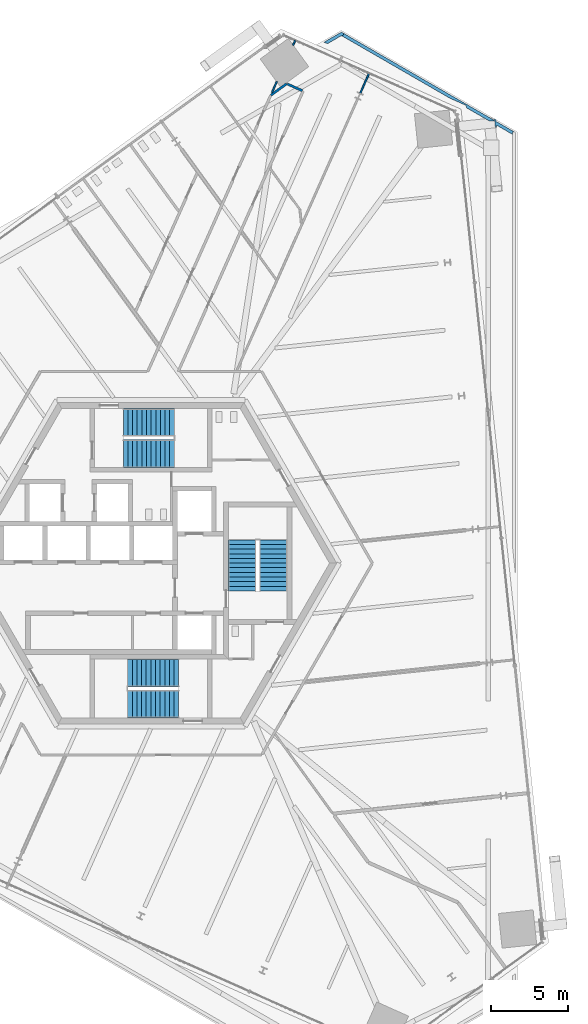
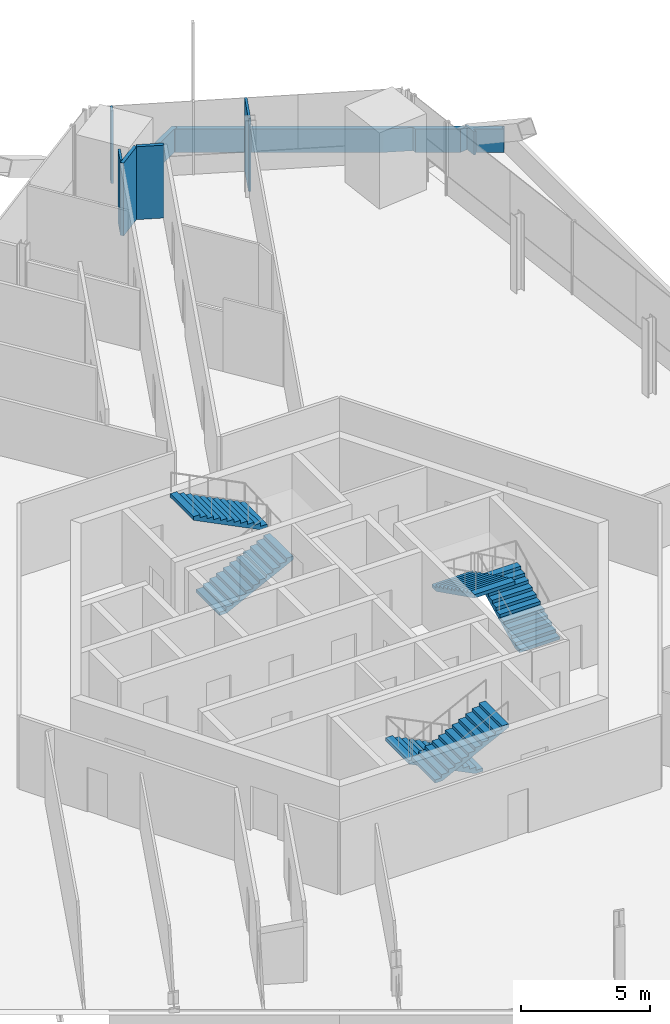
# One storey, part 19 of 24: 8 walls, 6 stair flights, 3 elements without a shape of their own.
"""IFC4 building model written with IfcOpenShell, lengths in metres."""

import ifcopenshell
import ifcopenshell.guid

model = None  # the IFC model being written
_history = None  # IfcOwnerHistory: only IFC2X3 demands one
_inside = {}  # id of a spatial element -> (the spatial element, [elements in it])
_under = {}  # id of a project, library or spatial element -> (it, [spatial elements below it])
_declared = {}  # id of a project -> (the project, [libraries it declares])
_typed = {}  # id of a type object -> (the type object, [elements of that type])
_made_of = {}  # id of a material, layer set ... -> (it, [elements and type objects made of it])


def new_model(schema):
    """Start an empty IFC model of exactly this schema.

    Asked for "IFC4X3", IfcOpenShell would pick the latest addendum, in which some entities
    have other attributes; the version numbers below select the first issue.
    IFC2X3 requires an IfcOwnerHistory on every rooted entity: one is made here for all.
    """
    global model, _history
    if schema == "IFC4X3":
        model = ifcopenshell.file(schema_version=(4, 3, 0, 0))
    else:
        model = ifcopenshell.file(schema=schema)
    _inside.clear()
    _under.clear()
    _declared.clear()
    _typed.clear()
    _made_of.clear()
    _history = None
    if model.schema == "IFC2X3":
        org = make("IfcOrganization", Name="unknown")
        user = make(
            "IfcPersonAndOrganization",
            ThePerson=make("IfcPerson", FamilyName="unknown"),
            TheOrganization=org,
        )
        app = make(
            "IfcApplication",
            ApplicationDeveloper=org,
            Version="unknown",
            ApplicationFullName="unknown",
            ApplicationIdentifier="unknown",
        )
        _history = make(
            "IfcOwnerHistory",
            OwningUser=user,
            OwningApplication=app,
            ChangeAction="ADDED",
            CreationDate=0,
        )
    return model


def make(cls, **values):
    """One entity of the class cls with the attributes given. An attribute that is None is left unset."""
    return model.create_entity(
        cls, **{name: value for name, value in values.items() if value is not None}
    )


def rooted(cls, **values):
    """An entity with a GlobalId (a new one), such as an element, a storey or a relation."""
    return make(cls, GlobalId=ifcopenshell.guid.new(), OwnerHistory=_history, **values)


def si_unit(unit_type, name, prefix=None):
    """IfcSIUnit, for example si_unit("LENGTHUNIT", "METRE", prefix="MILLI")."""
    return make("IfcSIUnit", UnitType=unit_type, Prefix=prefix, Name=name)


def assignment(units):
    """IfcUnitAssignment: the units of a project."""
    return None if units is None else make("IfcUnitAssignment", Units=units)


def point(xyz):
    """IfcCartesianPoint."""
    return None if xyz is None else make("IfcCartesianPoint", Coordinates=xyz)


def direction(xyz):
    """IfcDirection."""
    return None if xyz is None else make("IfcDirection", DirectionRatios=xyz)


def frame(location, z_axis=None, x_axis=None):
    """IfcAxis2Placement3D, a coordinate frame: its origin and axes. An axis left out is left unset."""
    return make(
        "IfcAxis2Placement3D",
        Location=point(location),
        Axis=direction(z_axis),
        RefDirection=direction(x_axis),
    )


def frame_2d(location, x_axis=None):
    """IfcAxis2Placement2D, a coordinate frame in the plane: its origin and x axis."""
    return make(
        "IfcAxis2Placement2D", Location=point(location), RefDirection=direction(x_axis)
    )


def origin():
    """The frame at (0, 0, 0) with its axes left unset."""
    return frame((0.0, 0.0, 0.0))


def place(relative_to, where):
    """IfcLocalPlacement: puts the frame where relative to a parent placement (None: the world)."""
    return make(
        "IfcLocalPlacement", PlacementRelTo=relative_to, RelativePlacement=where
    )


def context(
    kind, dimensions, precision=None, world=None, true_north=None, identifier=None
):
    """IfcGeometricRepresentationContext, for example the 3D "Model" context."""
    return make(
        "IfcGeometricRepresentationContext",
        ContextIdentifier=identifier,
        ContextType=kind,
        CoordinateSpaceDimension=dimensions,
        Precision=precision,
        WorldCoordinateSystem=world,
        TrueNorth=true_north,
    )


def subcontext(parent, identifier, kind, view, scale=None):
    """IfcGeometricRepresentationSubContext, for example "Body" below "Model"."""
    return make(
        "IfcGeometricRepresentationSubContext",
        ContextIdentifier=identifier,
        ContextType=kind,
        ParentContext=parent,
        TargetScale=scale,
        TargetView=view,
    )


def project(units=None, contexts=None):
    """IfcProject with its units and contexts."""
    return rooted(
        "IfcProject",
        Name="project",
        RepresentationContexts=contexts,
        UnitsInContext=assignment(units),
    )


def spatial(cls, under=None, at=None, **own):
    """A site, building, storey or space (cls), placed at a placement, below another one or the project."""
    s = rooted(cls, ObjectPlacement=at, **own)
    if under is not None:
        _under.setdefault(under.id(), (under, []))[1].append(s)
    return s


def polyline(points):
    """IfcPolyline through the points."""
    return make("IfcPolyline", Points=[point(p) for p in points])


def profile(cls, at=None, kind="AREA", **sizes):
    """A parametric profile (cls). Its sizes go by their IFC names, for example OverallWidth=200.0."""
    return make(cls, ProfileType=kind, Position=at, **sizes)


def rectangle(**sizes):
    """IfcRectangleProfileDef."""
    return profile("IfcRectangleProfileDef", **sizes)


def outline(outer, holes=None, kind="AREA"):
    """IfcArbitraryClosedProfileDef: a profile drawn as a closed curve; with holes, ...WithVoids."""
    if holes is None:
        return make("IfcArbitraryClosedProfileDef", ProfileType=kind, OuterCurve=outer)
    return make(
        "IfcArbitraryProfileDefWithVoids",
        ProfileType=kind,
        OuterCurve=outer,
        InnerCurves=holes,
    )


def extrude(swept, where, along, depth):
    """IfcExtrudedAreaSolid: the profile swept, set in the frame where, extruded along a direction by depth."""
    return make(
        "IfcExtrudedAreaSolid",
        SweptArea=swept,
        Position=where,
        ExtrudedDirection=direction(along),
        Depth=depth,
    )


def shape(context_of_items, identifier, shape_type, items):
    """IfcShapeRepresentation: the items that make up one representation, for example the "Body"."""
    return make(
        "IfcShapeRepresentation",
        ContextOfItems=context_of_items,
        RepresentationIdentifier=identifier,
        RepresentationType=shape_type,
        Items=items,
    )


def source(mapping_origin, context_of_items, identifier, shape_type, items):
    """IfcRepresentationMap: a shape defined once, which mapped items show again and again."""
    return make(
        "IfcRepresentationMap",
        MappingOrigin=mapping_origin,
        MappedRepresentation=shape(context_of_items, identifier, shape_type, items),
    )


def transform(
    local_origin,
    x_axis=None,
    y_axis=None,
    z_axis=None,
    scale=None,
    scale2=None,
    scale3=None,
    uniform=True,
):
    """IfcCartesianTransformationOperator3D, or its non-uniform kind. x_axis, y_axis, z_axis: its Axis1, 2, 3."""
    if uniform:
        return make(
            "IfcCartesianTransformationOperator3D",
            Axis1=direction(x_axis),
            Axis2=direction(y_axis),
            LocalOrigin=point(local_origin),
            Scale=scale,
            Axis3=direction(z_axis),
        )
    return make(
        "IfcCartesianTransformationOperator3DnonUniform",
        Axis1=direction(x_axis),
        Axis2=direction(y_axis),
        LocalOrigin=point(local_origin),
        Scale=scale,
        Axis3=direction(z_axis),
        Scale2=scale2,
        Scale3=scale3,
    )


def mapped(mapping_source, mapping_target):
    """IfcMappedItem: shows the shape of a source again, moved by a transform."""
    return make(
        "IfcMappedItem", MappingSource=mapping_source, MappingTarget=mapping_target
    )


def material(Name=None, Category=None):
    """IfcMaterial."""
    return make("IfcMaterial", Name=Name, Category=Category)


def layer(
    of_material, thickness, ventilated=None, Name=None, Category=None, Priority=None
):
    """IfcMaterialLayer: one layer of a wall or slab, of a material (None: an air gap)."""
    return make(
        "IfcMaterialLayer",
        Material=of_material,
        LayerThickness=thickness,
        IsVentilated=ventilated,
        Name=Name,
        Category=Category,
        Priority=Priority,
    )


def layer_set(layers, Name=None):
    """IfcMaterialLayerSet."""
    return make("IfcMaterialLayerSet", MaterialLayers=layers, LayerSetName=Name)


def made_of(thing, what):
    """Note that an element or type object is made of a material, layer set ...; save() writes the relation."""
    if what is not None:
        _made_of.setdefault(what.id(), (what, []))[1].append(thing)
    return thing


def type_object(cls, material=None, **own):
    """A type object (cls), such as IfcWallType, which elements share."""
    return made_of(rooted(cls, **own), material)


def element(
    cls,
    number,
    at=None,
    inside=None,
    cuts=None,
    type_object=None,
    material=None,
    context=None,
    identifier="Body",
    shape_type=None,
    held_by="IfcProductDefinitionShape",
    body=None,
    shapes=None,
    **own,
):
    """One element of the class cls, such as IfcWall. Its Tag is "e" and its number.

    at: its placement. inside: the storey or other place that contains it. cuts: it is an
    opening in that element (IfcRelVoidsElement). A single representation is given by context,
    identifier, shape_type and body (its items); several are given by shapes. held_by: the class
    of the entity that holds the representations. save() writes the other relations.
    """
    e = rooted(cls, Tag="e%d" % number, ObjectPlacement=at, **own)
    if body is not None:
        shapes = [shape(context, identifier, shape_type, body)]
    if shapes is not None:
        e.Representation = make(held_by, Representations=shapes)
    if inside is not None:
        _inside.setdefault(inside.id(), (inside, []))[1].append(e)
    if cuts is not None:
        rooted(
            "IfcRelVoidsElement", RelatingBuildingElement=cuts, RelatedOpeningElement=e
        )
    if type_object is not None:
        _typed.setdefault(type_object.id(), (type_object, []))[1].append(e)
    return made_of(e, material)


def aggregate(whole, parts):
    """IfcRelAggregates: a whole, such as a stair, and the parts it consists of."""
    return rooted("IfcRelAggregates", RelatingObject=whole, RelatedObjects=parts)


def save(model, path):
    """Write the relations noted so far, then the file.

    IfcRelAggregates (storeys below a building ...), IfcRelContainedInSpatialStructure (elements
    in a storey), IfcRelDefinesByType, IfcRelAssociatesMaterial and IfcRelDeclares: one each for
    every whole, place, type object, material and project.
    """
    for whole, parts in _under.values():
        aggregate(whole, parts)
    for where, things in _inside.values():
        rooted(
            "IfcRelContainedInSpatialStructure",
            RelatedElements=things,
            RelatingStructure=where,
        )
    for kind, things in _typed.values():
        rooted("IfcRelDefinesByType", RelatedObjects=things, RelatingType=kind)
    for what, things in _made_of.values():
        rooted("IfcRelAssociatesMaterial", RelatedObjects=things, RelatingMaterial=what)
    for by, libraries in _declared.values():
        rooted("IfcRelDeclares", RelatingContext=by, RelatedDefinitions=libraries)
    model.write(path)


model = new_model("IFC4")

# Units and contexts
model_context = context("Model", 3, precision=1e-05, world=origin(), true_north=direction((0.0, 1.0)))
body_context = subcontext(model_context, "Body", "Model", "MODEL_VIEW")
ifc_project = project(units=[si_unit("LENGTHUNIT", "METRE"), si_unit("AREAUNIT", "SQUARE_METRE"), si_unit("VOLUMEUNIT", "CUBIC_METRE"), si_unit("PLANEANGLEUNIT", "RADIAN"), si_unit("MASSUNIT", "GRAM", prefix="KILO")], contexts=[model_context])

# Site, building, storey
site_placement = place(None, origin())
site = spatial("IfcSite", under=ifc_project, at=site_placement, CompositionType="ELEMENT")
building_placement = place(site_placement, origin())
building = spatial("IfcBuilding", under=site, at=building_placement, Name="Triune Harvest Tower", CompositionType="ELEMENT")
storey_placement = place(building_placement, frame((0.0, 0.0, 58.5)))
storey = spatial("IfcBuildingStorey", under=building, at=storey_placement, Name="L13", CompositionType="ELEMENT", Elevation=58.5)

# Walls
ifc_material_1 = material(Name="Concrete 40 MPa", Category="concrete")
ifc_layer_1 = layer(ifc_material_1, 0.199951171875)
ifc_layer_set_1 = layer_set([ifc_layer_1], Name="Concrete 40 MPa")
wall_type_1 = type_object("IfcWallType", Name="PA-1 parapet 200", PredefinedType="PARAPET", material=ifc_layer_set_1)
wall_1_placement = place(storey_placement, origin())
element("IfcWall", 1, at=wall_1_placement, inside=storey, type_object=wall_type_1, Name="Parapet wedge L12 1.1", PredefinedType="PARAPET", context=body_context, shape_type="SweptSolid", body=[
    extrude(outline(polyline([(12.3291015625, 34.08203125), (12.30908203125, 34.093505859375), (11.403564453125, 33.57080078125), (11.177734375, 33.671142578125), (12.30908203125, 34.324462890625), (12.4091796875, 34.2666015625), (12.468994140625, 34.162841796875), (12.3291015625, 34.08203125)])), origin(), (0.0, 0.0, 1.0), 1.10009765625),
])
wall_2_placement = place(storey_placement, origin())
element("IfcWall", 2, at=wall_2_placement, inside=storey, type_object=wall_type_1, Name="Parapet wedge L12 1.3", PredefinedType="PARAPET", context=body_context, shape_type="SweptSolid", body=[
    extrude(outline(polyline([(23.351318359375, 27.71826171875), (22.3212890625, 28.31298828125), (22.338134765625, 28.15087890625), (22.25830078125, 28.142578125), (22.1962890625, 28.731689453125), (22.282470703125, 28.681884765625), (22.29541015625, 28.558837890625), (23.471435546875, 27.8798828125), (23.351318359375, 27.8798828125), (23.351318359375, 27.71826171875)])), origin(), (0.0, 0.0, 1.0), 1.10009765625),
])
wall_3_placement = place(storey_placement, origin())
element("IfcWall", 3, at=wall_3_placement, inside=storey, type_object=wall_type_1, Name="Parapet wedge L12 1.4", PredefinedType="PARAPET", context=body_context, shape_type="SweptSolid", body=[
    extrude(outline(polyline([(20.383056640625, 29.431884765625), (20.367431640625, 29.579833984375), (19.3173828125, 30.04736328125), (12.3291015625, 34.08203125), (12.468994140625, 34.162841796875), (12.4091796875, 34.2666015625), (22.22265625, 28.600830078125), (21.88427734375, 28.565185546875), (20.383056640625, 29.431884765625)])), origin(), (0.0, 0.0, 1.0), 1.10009765625),
])
ifc_material_2 = material(Name="Gypsum board on steel studs", Category="steel")
ifc_layer_2 = layer(ifc_material_2, 0.14990234375)
ifc_layer_set_2 = layer_set([ifc_layer_2], Name="Gypsum board on steel studs")
wall_type_2 = type_object("IfcWallType", Name="Fire Partition 150 mm", PredefinedType="PARTITIONING", material=ifc_layer_set_2)
shared_shape_1 = source(origin(), body_context, "Body", "SweptSolid", [
    extrude(rectangle(XDim=1.06396484375, YDim=0.14990234375, at=frame_2d((0.531982421875, 0.0))), origin(), (0.0, 0.0, 1.0), 3.43994140625),
])
wall_4_placement = place(storey_placement, frame((8.813232421875, 30.968994140625, 0.0), z_axis=(0.0, 0.0, 1.0), x_axis=(0.91358428544, -0.40664942321, 0.0)))
element("IfcWall", 4, at=wall_4_placement, inside=storey, type_object=wall_type_2, Name="Partition L13 019", PredefinedType="PARTITIONING", context=body_context, shape_type="MappedRepresentation", body=[
    mapped(shared_shape_1, transform((0.0, 0.0, 0.0), scale=1.0)),
])
shared_shape_2 = source(origin(), body_context, "Body", "SweptSolid", [
    extrude(rectangle(XDim=1.252197265625, YDim=0.14990234375, at=frame_2d((0.6259765625, 0.0))), origin(), (0.0, 0.0, 1.0), 3.43994140625),
])
wall_5_placement = place(storey_placement, frame((7.754638671875, 30.25341796875, 0.0), z_axis=(0.0, 0.0, 1.0), x_axis=(0.808963673702, 0.587858634903, 0.0)))
element("IfcWall", 5, at=wall_5_placement, inside=storey, type_object=wall_type_2, Name="Partition L13 030", PredefinedType="PARTITIONING", context=body_context, shape_type="MappedRepresentation", body=[
    mapped(shared_shape_2, transform((0.0, 0.0, 0.0), scale=1.0)),
])
ifc_material_3 = material(Name="Gypsum board on steel studs", Category="steel")
ifc_layer_3 = layer(ifc_material_3, 0.10009765625)
ifc_layer_set_3 = layer_set([ifc_layer_3], Name="Gypsum board on steel studs")
wall_type_3 = type_object("IfcWallType", Name="Partition 100 mm", PredefinedType="PARTITIONING", material=ifc_layer_set_3)
shared_shape_3 = source(origin(), body_context, "Body", "SweptSolid", [
    extrude(rectangle(XDim=1.41845703125, YDim=0.10009765625, at=frame_2d((0.709228515625, 0.0))), origin(), (0.0, 0.0, 1.0), 3.43994140625),
])
wall_6_placement = place(storey_placement, frame((13.519287109375, 30.364501953125, 0.0), z_axis=(0.0, 0.0, 1.0), x_axis=(0.406697305895, 0.913562970669, 0.0)))
element("IfcWall", 6, at=wall_6_placement, inside=storey, type_object=wall_type_3, Name="Partition L13 036", PredefinedType="PARTITIONING", context=body_context, shape_type="MappedRepresentation", body=[
    mapped(shared_shape_3, transform((0.0, 0.0, 0.0), scale=1.0)),
])
shared_shape_4 = source(origin(), body_context, "Body", "SweptSolid", [
    extrude(rectangle(XDim=0.764892578125, YDim=0.10009765625, at=frame_2d((0.38232421875, 0.0))), origin(), (0.0, 0.0, 1.0), 3.43994140625),
])
wall_7_placement = place(storey_placement, frame((7.81982421875, 30.42431640625, 0.0), z_axis=(0.0, 0.0, 1.0), x_axis=(0.406671507884, 0.913574454916, 0.0)))
element("IfcWall", 7, at=wall_7_placement, inside=storey, type_object=wall_type_3, Name="Partition L13 042", PredefinedType="PARTITIONING", context=body_context, shape_type="MappedRepresentation", body=[
    mapped(shared_shape_4, transform((0.0, 0.0, 0.0), scale=1.0)),
])
shared_shape_5 = source(origin(), body_context, "Body", "SweptSolid", [
    extrude(rectangle(XDim=0.342041015625, YDim=0.10009765625, at=frame_2d((0.1708984375, 0.0))), origin(), (0.0, 0.0, 1.0), 3.43994140625),
])
wall_8_placement = place(storey_placement, frame((9.17822265625, 33.475341796875, 0.0), z_axis=(0.0, 0.0, 1.0), x_axis=(0.40680054153, 0.91351700554, 0.0)))
element("IfcWall", 8, at=wall_8_placement, inside=storey, type_object=wall_type_3, Name="Partition L13 043", PredefinedType="PARTITIONING", context=body_context, shape_type="MappedRepresentation", body=[
    mapped(shared_shape_5, transform((0.0, 0.0, 0.0), scale=1.0)),
])

# Stair, stair flights
ifc_material_4 = material(Name="Concrete 40 MPa", Category="concrete")
stair_type = type_object("IfcStairType", Name="Exit stair 1800 half turn", PredefinedType="HALF_TURN_STAIR", material=ifc_material_4)
stair_1_placement = place(storey_placement, origin())
stair_1 = element("IfcStair", 9, at=stair_1_placement, inside=storey, type_object=stair_type, Name="Exit stair north", PredefinedType="HALF_TURN_STAIR")
ifc_material_5 = material(Name="Concrete 40 MPa", Category="concrete")
stair_flight_type = type_object("IfcStairFlightType", Name="Stair flight 1800", PredefinedType="STRAIGHT", material=ifc_material_5)
shared_shape_6 = source(origin(), body_context, "Body", "SweptSolid", [
    extrude(outline(polyline([(0.0, 0.0), (0.0, 0.14990234375), (0.300048828125, 0.14990234375), (0.300048828125, 0.300048828125), (0.60009765625, 0.300048828125), (0.60009765625, 0.449951171875), (0.89990234375, 0.449951171875), (0.89990234375, 0.60009765625), (1.199951171875, 0.60009765625), (1.199951171875, 0.75), (1.5, 0.75), (1.5, 0.89990234375), (1.800048828125, 0.89990234375), (1.800048828125, 1.050048828125), (2.10009765625, 1.050048828125), (2.10009765625, 1.199951171875), (2.39990234375, 1.199951171875), (2.39990234375, 1.35009765625), (2.699951171875, 1.35009765625), (2.699951171875, 1.5), (3.0, 1.5), (3.0, 1.64990234375), (3.300048828125, 1.64990234375), (3.300048828125, 1.800048828125), (3.300048828125, 1.482421875), (0.335205078125, 0.0), (0.0, 0.0)])), frame((0.0, 0.89990234375, 0.0), z_axis=(0.0, -1.0, 0.0), x_axis=(1.0, 0.0, 0.0)), (0.0, 0.0, 1.0), 1.800048828125),
])
stair_flight_1_placement = place(storey_placement, frame((-1.7900390625, 7.090087890625, 0.0), z_axis=(0.0, 0.0, 1.0), x_axis=(1.0, 0.0, 0.0)))
stair_flight_1 = element("IfcStairFlight", 10, at=stair_flight_1_placement, type_object=stair_flight_type, Name="ST-1 flight 1", NumberOfRisers=12, NumberOfTreads=11, PredefinedType="STRAIGHT", RiserHeight=0.15, TreadLength=0.3, context=body_context, shape_type="MappedRepresentation", body=[
    mapped(shared_shape_6, transform((0.0, 0.0, 0.0), scale=1.0)),
])
stair_flight_2_placement = place(storey_placement, frame((1.510009765625, 9.090087890625, 1.800048828125), z_axis=(0.0, 0.0, 1.0), x_axis=(-1.0, 0.0, 0.0)))
stair_flight_2 = element("IfcStairFlight", 11, at=stair_flight_2_placement, type_object=stair_flight_type, Name="ST-1 flight 2", NumberOfRisers=12, NumberOfTreads=11, PredefinedType="STRAIGHT", RiserHeight=0.15, TreadLength=0.3, context=body_context, shape_type="MappedRepresentation", body=[
    mapped(shared_shape_6, transform((0.0, 0.0, 0.0), scale=1.0)),
])
aggregate(stair_1, [stair_flight_1, stair_flight_2])

stair_2_placement = place(storey_placement, origin())
stair_2 = element("IfcStair", 12, at=stair_2_placement, inside=storey, type_object=stair_type, Name="Exit stair south", PredefinedType="HALF_TURN_STAIR")
stair_flight_3_placement = place(storey_placement, frame((1.7900390625, -7.090087890625, 0.0), z_axis=(0.0, 0.0, 1.0), x_axis=(-1.0, 0.0, 0.0)))
stair_flight_3 = element("IfcStairFlight", 13, at=stair_flight_3_placement, type_object=stair_flight_type, Name="ST-2 flight 1", NumberOfRisers=12, NumberOfTreads=11, PredefinedType="STRAIGHT", RiserHeight=0.15, TreadLength=0.3, context=body_context, shape_type="MappedRepresentation", body=[
    mapped(shared_shape_6, transform((0.0, 0.0, 0.0), scale=1.0)),
])
stair_flight_4_placement = place(storey_placement, frame((-1.510009765625, -9.090087890625, 1.800048828125), z_axis=(0.0, 0.0, 1.0), x_axis=(1.0, 0.0, 0.0)))
stair_flight_4 = element("IfcStairFlight", 14, at=stair_flight_4_placement, type_object=stair_flight_type, Name="ST-2 flight 2", NumberOfRisers=12, NumberOfTreads=11, PredefinedType="STRAIGHT", RiserHeight=0.15, TreadLength=0.3, context=body_context, shape_type="MappedRepresentation", body=[
    mapped(shared_shape_6, transform((0.0, 0.0, 0.0), scale=1.0)),
])
aggregate(stair_2, [stair_flight_3, stair_flight_4])

stair_3_placement = place(storey_placement, origin())
stair_3 = element("IfcStair", 15, at=stair_3_placement, inside=storey, type_object=stair_type, Name="Exit stair east", PredefinedType="HALF_TURN_STAIR")
stair_flight_5_placement = place(storey_placement, frame((7.89990234375, -1.7900390625, 0.0), z_axis=(0.0, 0.0, 1.0), x_axis=(0.0, 1.0, 0.0)))
stair_flight_5 = element("IfcStairFlight", 16, at=stair_flight_5_placement, type_object=stair_flight_type, Name="ST-3 flight 1", NumberOfRisers=12, NumberOfTreads=11, PredefinedType="STRAIGHT", RiserHeight=0.15, TreadLength=0.3, context=body_context, shape_type="MappedRepresentation", body=[
    mapped(shared_shape_6, transform((0.0, 0.0, 0.0), scale=1.0)),
])
stair_flight_6_placement = place(storey_placement, frame((5.89990234375, 1.510009765625, 1.800048828125), z_axis=(0.0, 0.0, 1.0), x_axis=(0.0, -1.0, 0.0)))
stair_flight_6 = element("IfcStairFlight", 17, at=stair_flight_6_placement, type_object=stair_flight_type, Name="ST-3 flight 2", NumberOfRisers=12, NumberOfTreads=11, PredefinedType="STRAIGHT", RiserHeight=0.15, TreadLength=0.3, context=body_context, shape_type="MappedRepresentation", body=[
    mapped(shared_shape_6, transform((0.0, 0.0, 0.0), scale=1.0)),
])
aggregate(stair_3, [stair_flight_5, stair_flight_6])

save(model, "model.ifc")
